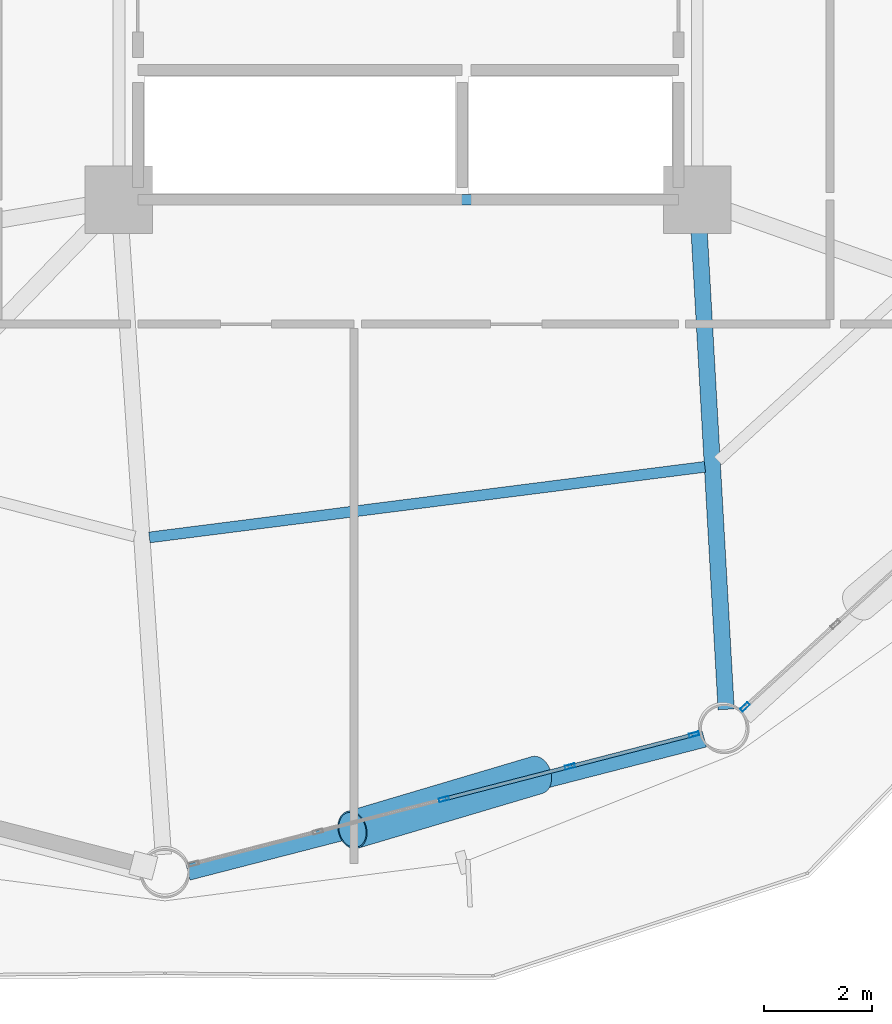
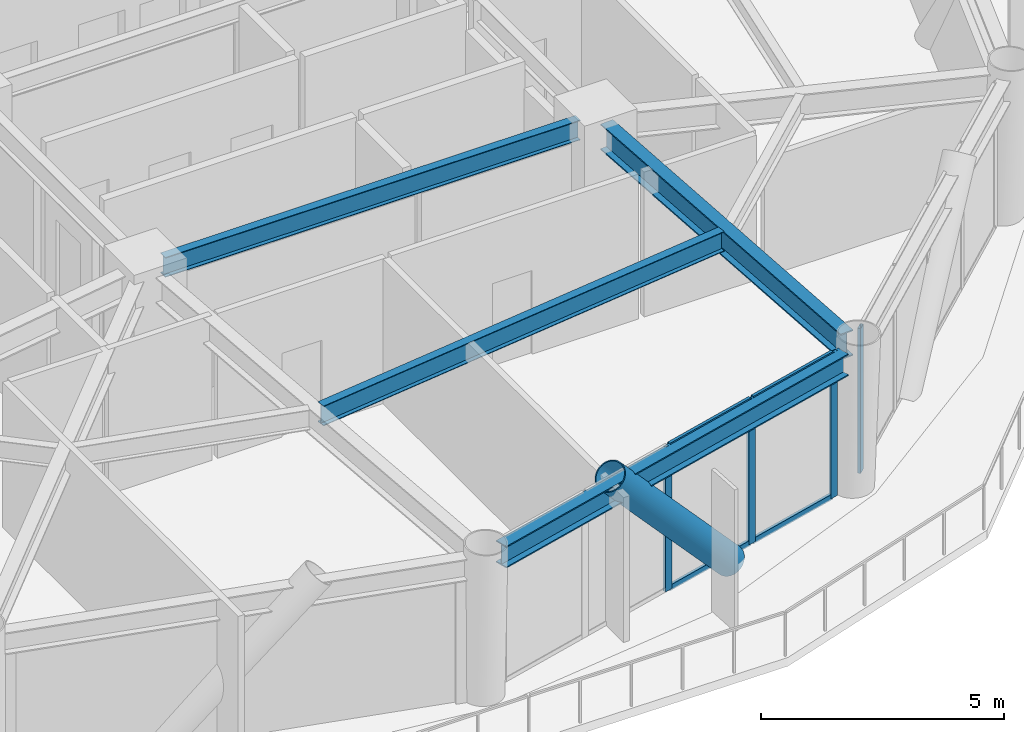
# One storey, part 8 of 24: 9 members, 4 beams, 2 elements without a shape of their own.
"""IFC4 building model written with IfcOpenShell, lengths in metres."""

from ifc_helpers import new_model, si_unit, direction, frame, origin, origin_2d, place, context, subcontext, project, spatial, hollow_rectangle, hollow_circle, i_section, extrude, material, layer, layer_set, material_profile, profile_set, type_object, element, aggregate, save


model = new_model("IFC4")

# Units and contexts
model_context = context("Model", 3, precision=1e-05, world=origin(), true_north=direction((0.0, 1.0)))
body_context = subcontext(model_context, "Body", "Model", "MODEL_VIEW")
ifc_project = project(units=[si_unit("LENGTHUNIT", "METRE"), si_unit("AREAUNIT", "SQUARE_METRE"), si_unit("VOLUMEUNIT", "CUBIC_METRE"), si_unit("PLANEANGLEUNIT", "RADIAN"), si_unit("MASSUNIT", "GRAM", prefix="KILO")], contexts=[model_context])

# Site, building, storey
site_placement = place(None, origin())
site = spatial("IfcSite", under=ifc_project, at=site_placement, CompositionType="ELEMENT")
building_placement = place(site_placement, origin())
building = spatial("IfcBuilding", under=site, at=building_placement, Name="Varnakorn Sky Granary", CompositionType="ELEMENT")
storey_placement = place(building_placement, frame((0.0, 0.0, 43.199951171875)))
storey = spatial("IfcBuildingStorey", under=building, at=storey_placement, Name="L10", CompositionType="ELEMENT", Elevation=43.199951171875)

# Beams
ifc_material_1 = material(Name="Steel S355JR", Category="steel")
ifc_material_profile_1 = material_profile(ifc_material_1, i_section(OverallWidth=0.300048828125, OverallDepth=0.64990234375, WebThickness=0.01611328125, FlangeThickness=0.031005859375, at=origin_2d()), Name="HE 650 B")
ifc_profile_set_1 = profile_set([ifc_material_profile_1], Name="Steel S355JR")
beam_type_1 = type_object("IfcBeamType", Name="BM-RAD-Z1", PredefinedType="BEAM", material=ifc_profile_set_1)
beam_1_placement = place(storey_placement, frame((8.373779296875, -7.019287109375, 3.31494140625), z_axis=(0.056399297471, -0.998408292857, 0.0), x_axis=(0.998408292857, 0.056399297471, 0.0)))
element("IfcBeam", 1, at=beam_1_placement, inside=storey, type_object=beam_type_1, Name="Radial Floor Girder RG11 L10", PredefinedType="BEAM", context=body_context, shape_type="SweptSolid", body=[
    extrude(i_section(OverallWidth=0.300048828125, OverallDepth=0.64990234375, WebThickness=0.01611328125, FlangeThickness=0.031005859375, at=origin_2d()), origin(), (0.0, 0.0, 1.0), 9.021240234375),
])
ifc_material_profile_2 = material_profile(ifc_material_1, i_section(OverallWidth=0.199951171875, OverallDepth=0.5, WebThickness=0.01025390625, FlangeThickness=0.01611328125, at=origin_2d()), Name="IPE 500")
ifc_profile_set_2 = profile_set([ifc_material_profile_2], Name="Steel S355JR")
beam_type_2 = type_object("IfcBeamType", Name="BM-SEC-Z1", PredefinedType="BEAM", material=ifc_profile_set_2)
beam_2_placement = place(storey_placement, frame((-1.786865234375, -12.84619140625, 3.39013671875), z_axis=(0.992021616052, 0.126067891574, 0.0), x_axis=(-0.126067891574, 0.992021616052, 0.0)))
element("IfcBeam", 2, at=beam_2_placement, inside=storey, type_object=beam_type_2, Name="Secondary Floor Chord Beam MSB10 L10", PredefinedType="BEAM", context=body_context, shape_type="SweptSolid", body=[
    extrude(i_section(OverallWidth=0.199951171875, OverallDepth=0.5, WebThickness=0.01025390625, FlangeThickness=0.01611328125, at=origin_2d()), origin(), (0.0, 0.0, 1.0), 10.35888671875),
])
beam_3_placement = place(storey_placement, frame((-1.929931640625, -6.60009765625, 3.39013671875), z_axis=(1.0, 0.0, 0.0), x_axis=(0.0, 1.0, 0.0)))
element("IfcBeam", 3, at=beam_3_placement, inside=storey, type_object=beam_type_2, Name="Core Spine Framing Beam 6 L10", PredefinedType="BEAM", context=body_context, shape_type="SweptSolid", body=[
    extrude(i_section(OverallWidth=0.199951171875, OverallDepth=0.5, WebThickness=0.01025390625, FlangeThickness=0.01611328125, at=origin_2d()), origin(), (0.0, 0.0, 1.0), 9.85986328125),
])
ifc_material_profile_3 = material_profile(ifc_material_1, i_section(OverallWidth=0.300048828125, OverallDepth=0.550048828125, WebThickness=0.014892578125, FlangeThickness=0.029052734375, at=origin_2d()), Name="HE 550 B")
ifc_profile_set_3 = profile_set([ifc_material_profile_3], Name="Steel S355JR")
beam_type_3 = type_object("IfcBeamType", Name="BM-SPD-Z1", PredefinedType="SPANDREL", material=ifc_profile_set_3)
beam_4_placement = place(storey_placement, frame((-1.072021484375, -19.039794921875, 3.364990234375), z_axis=(0.968350691082, 0.249593547756, 0.0), x_axis=(-0.249593547756, 0.968350691082, 0.0)))
element("IfcBeam", 4, at=beam_4_placement, inside=storey, type_object=beam_type_3, Name="Perimeter Spandrel Ring Beam RB10 L10", PredefinedType="SPANDREL", context=body_context, shape_type="SweptSolid", body=[
    extrude(i_section(OverallWidth=0.300048828125, OverallDepth=0.550048828125, WebThickness=0.014892578125, FlangeThickness=0.029052734375, at=origin_2d()), origin(), (0.0, 0.0, 1.0), 9.86376953125),
])

# Curtain wall, members
ifc_material_2 = material(Name="Anodised Bronze Aluminium Alloy 6063-T6", Category="aluminium")
ifc_layer = layer(ifc_material_2, 0.18994140625, Name="Anodised Bronze Aluminium Alloy 6063-T6")
ifc_layer_set = layer_set([ifc_layer], Name="Anodised Bronze Aluminium Alloy 6063-T6")
curtain_wall_type = type_object("IfcCurtainWallType", Name="CW-FRM-1", PredefinedType="USERDEFINED", material=ifc_layer_set)
curtain_wall_1_placement = place(storey_placement, origin())
curtain_wall_1 = element("IfcCurtainWall", 5, at=curtain_wall_1_placement, inside=storey, type_object=curtain_wall_type, Name="Unitised Curtain Wall CW3 CW-L10-B10", ObjectType="CURTAIN WALL", PredefinedType="USERDEFINED")
ifc_material_profile_4 = material_profile(ifc_material_2, hollow_rectangle(XDim=0.070068359375, YDim=0.18505859375, WallThickness=0.00390625, at=origin_2d()), Name="ALU MULL 70x185")
ifc_profile_set_4 = profile_set([ifc_material_profile_4], Name="Anodised Bronze Aluminium Alloy 6063-T6")
member_type_1 = type_object("IfcMemberType", Name="CW-FRM-1-MULL", PredefinedType="MULLION", material=ifc_profile_set_4)
member_1_placement = place(storey_placement, frame((8.2890625, -16.491943359375, 0.0), z_axis=(0.0, 0.0, 1.0), x_axis=(0.249960319337, -0.968256081188, 0.0)))
member_1 = element("IfcMember", 6, at=member_1_placement, type_object=member_type_1, Name="CW3 mullion 1", PredefinedType="MULLION", context=body_context, shape_type="SweptSolid", body=[
    extrude(hollow_rectangle(XDim=0.070068359375, YDim=0.18505859375, WallThickness=0.00390625, at=origin_2d()), origin(), (0.0, 0.0, 1.0), 3.64013671875),
])
member_2_placement = place(storey_placement, frame((5.992431640625, -17.0849609375, 0.0), z_axis=(0.0, 0.0, 1.0), x_axis=(0.249960319337, -0.968256081188, 0.0)))
member_2 = element("IfcMember", 7, at=member_2_placement, type_object=member_type_1, Name="CW3 mullion 2", PredefinedType="MULLION", context=body_context, shape_type="SweptSolid", body=[
    extrude(hollow_rectangle(XDim=0.070068359375, YDim=0.18505859375, WallThickness=0.00390625, at=origin_2d()), origin(), (0.0, 0.0, 1.0), 3.64013671875),
])
member_3_placement = place(storey_placement, frame((3.661865234375, -17.6865234375, 0.0), z_axis=(0.0, 0.0, 1.0), x_axis=(0.249960319337, -0.968256081188, 0.0)))
member_3 = element("IfcMember", 8, at=member_3_placement, type_object=member_type_1, Name="CW3 mullion 3", PredefinedType="MULLION", context=body_context, shape_type="SweptSolid", body=[
    extrude(hollow_rectangle(XDim=0.070068359375, YDim=0.18505859375, WallThickness=0.00390625, at=origin_2d()), origin(), (0.0, 0.0, 1.0), 3.64013671875),
])

# Curtain wall, member
curtain_wall_2_placement = place(storey_placement, origin())
curtain_wall_2 = element("IfcCurtainWall", 9, at=curtain_wall_2_placement, inside=storey, type_object=curtain_wall_type, Name="Unitised Curtain Wall CW3 CW-L10-B11", ObjectType="CURTAIN WALL", PredefinedType="USERDEFINED")
member_4_placement = place(storey_placement, frame((9.230712890625, -15.9814453125, 0.0), z_axis=(0.0, 0.0, 1.0), x_axis=(0.674903389306, -0.737906101821, 0.0)))
member_4 = element("IfcMember", 10, at=member_4_placement, type_object=member_type_1, Name="CW3 mullion 5", PredefinedType="MULLION", context=body_context, shape_type="SweptSolid", body=[
    extrude(hollow_rectangle(XDim=0.070068359375, YDim=0.18505859375, WallThickness=0.00390625, at=origin_2d()), origin(), (0.0, 0.0, 1.0), 3.64013671875),
])
aggregate(curtain_wall_2, [member_4])

# Member
ifc_material_profile_5 = material_profile(ifc_material_2, hollow_rectangle(XDim=0.070068359375, YDim=0.139892578125, WallThickness=0.00341796875, at=origin_2d()), Name="ALU TRAN 70x140")
ifc_profile_set_5 = profile_set([ifc_material_profile_5], Name="Anodised Bronze Aluminium Alloy 6063-T6")
member_type_2 = type_object("IfcMemberType", Name="CW-FRM-1-TRAN", PredefinedType="USERDEFINED", material=ifc_profile_set_5)
member_5_placement = place(storey_placement, frame((8.255126953125, -16.500732421875, 0.03515625), z_axis=(-0.968254971313, -0.249964618552, 0.0), x_axis=(0.249964618552, -0.968254971313, 0.0)))
member_5 = element("IfcMember", 11, at=member_5_placement, type_object=member_type_2, Name="CW3 transom 1.1", ObjectType="TRANSOM", PredefinedType="USERDEFINED", context=body_context, shape_type="SweptSolid", body=[
    extrude(hollow_rectangle(XDim=0.070068359375, YDim=0.139892578125, WallThickness=0.00341796875, at=origin_2d()), origin(), (0.0, 0.0, 1.0), 2.302001953125),
])

member_6_placement = place(storey_placement, frame((8.255126953125, -16.500732421875, 3.60498046875), z_axis=(-0.968254971313, -0.249964618552, 0.0), x_axis=(0.249964618552, -0.968254971313, 0.0)))
member_6 = element("IfcMember", 12, at=member_6_placement, type_object=member_type_2, Name="CW3 transom 1.2", ObjectType="TRANSOM", PredefinedType="USERDEFINED", context=body_context, shape_type="SweptSolid", body=[
    extrude(hollow_rectangle(XDim=0.070068359375, YDim=0.139892578125, WallThickness=0.00341796875, at=origin_2d()), origin(), (0.0, 0.0, 1.0), 2.302001953125),
])

member_7_placement = place(storey_placement, frame((5.95849609375, -17.093505859375, 0.03515625), z_axis=(-0.968252044211, -0.249975956608, 0.0), x_axis=(0.249975956608, -0.968252044211, 0.0)))
member_7 = element("IfcMember", 13, at=member_7_placement, type_object=member_type_2, Name="CW3 transom 2.1", ObjectType="TRANSOM", PredefinedType="USERDEFINED", context=body_context, shape_type="SweptSolid", body=[
    extrude(hollow_rectangle(XDim=0.070068359375, YDim=0.139892578125, WallThickness=0.00341796875, at=origin_2d()), origin(), (0.0, 0.0, 1.0), 2.337158203125),
])

member_8_placement = place(storey_placement, frame((5.95849609375, -17.093505859375, 3.60498046875), z_axis=(-0.968252044211, -0.249975956608, 0.0), x_axis=(0.249975956608, -0.968252044211, 0.0)))
member_8 = element("IfcMember", 14, at=member_8_placement, type_object=member_type_2, Name="CW3 transom 2.2", ObjectType="TRANSOM", PredefinedType="USERDEFINED", context=body_context, shape_type="SweptSolid", body=[
    extrude(hollow_rectangle(XDim=0.070068359375, YDim=0.139892578125, WallThickness=0.00341796875, at=origin_2d()), origin(), (0.0, 0.0, 1.0), 2.337158203125),
])

aggregate(curtain_wall_1, [member_1, member_2, member_3, member_5, member_6, member_7, member_8])

ifc_material_3 = material(Name="Steel S460M", Category="steel")
ifc_material_profile_6 = material_profile(ifc_material_3, hollow_circle(Radius=0.35546875, WallThickness=0.02490234375, at=origin_2d()), Name="CHS 711x25")
ifc_profile_set_6 = profile_set([ifc_material_profile_6], Name="Steel S460M")
member_type_3 = type_object("IfcMemberType", Name="MB-DIAG-T0", PredefinedType="BRACE", material=ifc_profile_set_6)
member_9_placement = place(storey_placement, frame((5.38232421875, -17.2421875, -0.1298828125), z_axis=(-0.644523953078, -0.191420847867, 0.740234377012), x_axis=(0.284704627072, -0.958615290575, 0.0)))
element("IfcMember", 15, at=member_9_placement, inside=storey, type_object=member_type_3, Name="Perimeter CHS Diagrid Brace DG10 L10", PredefinedType="BRACE", context=body_context, shape_type="SweptSolid", body=[
    extrude(hollow_circle(Radius=0.35546875, WallThickness=0.02490234375, at=origin_2d()), origin(), (0.0, 0.0, 1.0), 5.29541015625),
])

save(model, "model.ifc")
